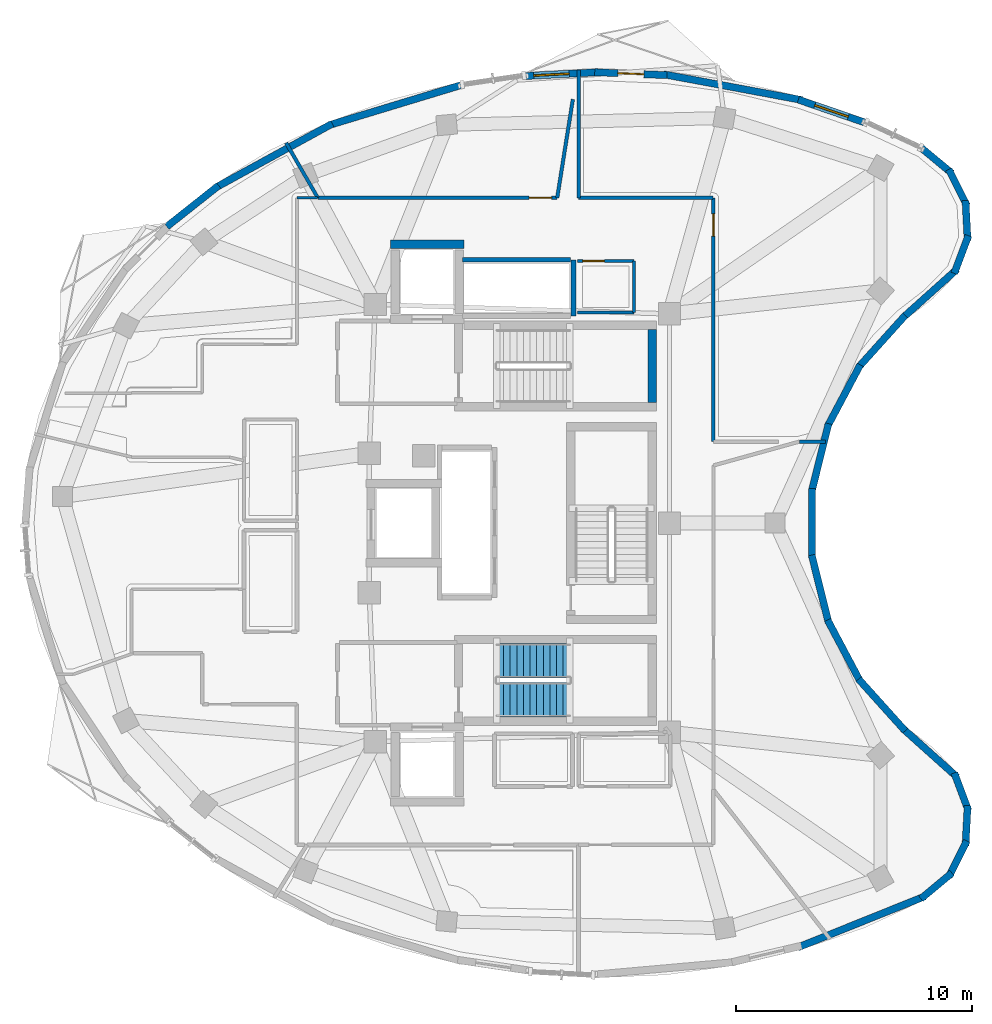
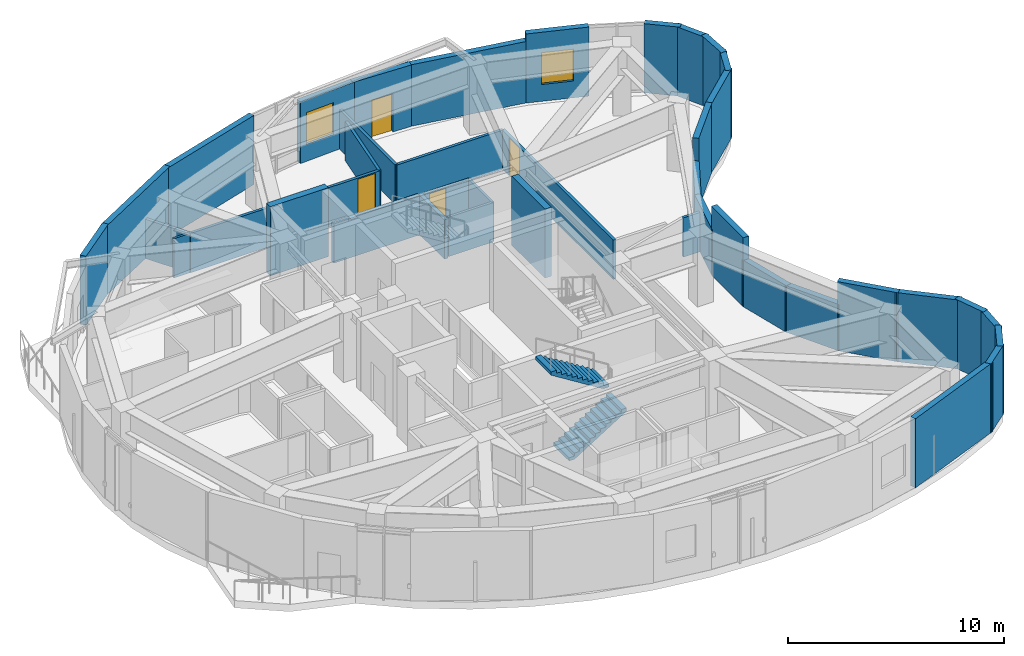
# One storey, part 8 of 12: 40 walls, 4 doors, 2 stair flights, 2 windows, 6 openings, 1 element without a shape of its own.
"""IFC4 building model written with IfcOpenShell, lengths in metres."""

from ifc_helpers import new_model, si_unit, direction, frame, frame_2d, origin, place, context, subcontext, project, spatial, polyline, rectangle, outline, extrude, material, layer, layer_set, type_object, element, fill, aggregate, save


model = new_model("IFC4")

# Units and contexts
model_context = context("Model", 3, precision=1e-05, world=origin(), true_north=direction((0.0, 1.0)))
body_context = subcontext(model_context, "Body", "Model", "MODEL_VIEW")
ifc_project = project(units=[si_unit("LENGTHUNIT", "METRE"), si_unit("AREAUNIT", "SQUARE_METRE"), si_unit("VOLUMEUNIT", "CUBIC_METRE"), si_unit("PLANEANGLEUNIT", "RADIAN"), si_unit("MASSUNIT", "GRAM", prefix="KILO")], contexts=[model_context])

# Site, building, storey
site_placement = place(None, origin())
site = spatial("IfcSite", under=ifc_project, at=site_placement, CompositionType="ELEMENT")
building_placement = place(site_placement, origin())
building = spatial("IfcBuilding", under=site, at=building_placement, Name="Korentha Bioscience Tower", CompositionType="ELEMENT")
storey_placement = place(building_placement, frame((0.0, 0.0, 286.800048828125)))
storey = spatial("IfcBuildingStorey", under=building, at=storey_placement, Name="L66", CompositionType="ELEMENT", Elevation=286.800048828125)

# Wall, opening, door
ifc_material_1 = material(Name="Double-Stud Acoustic Gypsum", Category="gypsum")
ifc_layer_1 = layer(ifc_material_1, 0.14990234375, Name="Double-Stud Acoustic Gypsum")
ifc_layer_set_1 = layer_set([ifc_layer_1], Name="Double-Stud Acoustic Gypsum (IW-L150)")
wall_type_1 = type_object("IfcWallType", Name="Acoustic Laboratory Partition Wall 150", PredefinedType="PARTITIONING", material=ifc_layer_set_1)
wall_1_placement = place(storey_placement, frame((39.409912109375, 30.451904296875, 0.0), z_axis=(0.0, 0.0, 1.0), x_axis=(0.0, 1.0, 0.0)))
wall_1 = element("IfcWall", 1, at=wall_1_placement, inside=storey, type_object=wall_type_1, Name="L66 Bio-Printing Tissue Engineering Lab 07 Entrance Wall", PredefinedType="PARTITIONING", context=body_context, shape_type="SweptSolid", body=[
    extrude(rectangle(XDim=10.298095703125, YDim=0.14990234375, at=frame_2d((5.14892578125, 0.0))), origin(), (0.0, 0.0, 1.0), 2.219970703125),
])
opening_1_placement = place(wall_1_placement, frame((8.684326171875, 0.0, 0.0)))
opening_1 = element("IfcOpeningElement", 2, at=opening_1_placement, cuts=wall_1, Name="Opening ID-10L", PredefinedType="OPENING", context=body_context, shape_type="SweptSolid", body=[
    extrude(rectangle(XDim=0.949951171875, YDim=2.14990234375, at=frame_2d((0.47509765625, 1.074951171875))), frame((0.0, 0.08984375, 0.0), z_axis=(0.0, -1.0, 0.0), x_axis=(1.0, 0.0, 0.0)), (0.0, 0.0, 1.0), 0.1796875),
])
ifc_material_2 = material(Name="Phenolic Laminate Timber Core", Category="wood")
door_type_1 = type_object("IfcDoorType", Name="Laboratory Single Leaf Door 950x2150 Left", OperationType="SINGLE_SWING_LEFT", PredefinedType="DOOR", material=ifc_material_2)
door_1_placement = place(opening_1_placement, origin())
door_1 = element("IfcDoor", 3, at=door_1_placement, inside=storey, type_object=door_type_1, Name="L66 Bio-Printing Tissue Engineering Lab 07 Door", OperationType="SINGLE_SWING_LEFT", OverallHeight=2.14990234375, OverallWidth=0.949951171875, PredefinedType="DOOR", context=body_context, shape_type="SweptSolid", body=[
    extrude(rectangle(XDim=0.949951171875, YDim=2.14990234375, at=frame_2d((0.47509765625, 1.074951171875))), frame((0.0, 0.02490234375, 0.0), z_axis=(0.0, -1.0, 0.0), x_axis=(1.0, 0.0, 0.0)), (0.0, 0.0, 1.0), 0.050048828125),
])
fill(opening_1, door_1)

wall_2_placement = place(storey_placement, frame((32.799560546875, 40.760009765625, 0.0), z_axis=(0.0, 0.0, 1.0), x_axis=(-1.0, 0.0, 0.0)))
wall_2 = element("IfcWall", 4, at=wall_2_placement, inside=storey, type_object=wall_type_1, Name="L66 Sterile Media Preparation Kitchen 08 Entrance Wall", PredefinedType="PARTITIONING", context=body_context, shape_type="SweptSolid", body=[
    extrude(rectangle(XDim=10.1259765625, YDim=0.14990234375, at=frame_2d((5.06298828125, 0.0))), origin(), (0.0, 0.0, 1.0), 2.219970703125),
])
opening_2_placement = place(wall_2_placement, frame((0.239990234375, 0.0, 0.0)))
opening_2 = element("IfcOpeningElement", 5, at=opening_2_placement, cuts=wall_2, Name="Opening ID-10R", PredefinedType="OPENING", context=body_context, shape_type="SweptSolid", body=[
    extrude(rectangle(XDim=0.949951171875, YDim=2.14990234375, at=frame_2d((0.47509765625, 1.074951171875))), frame((0.0, 0.08984375, 0.0), z_axis=(0.0, -1.0, 0.0), x_axis=(1.0, 0.0, 0.0)), (0.0, 0.0, 1.0), 0.1796875),
])
door_type_2 = type_object("IfcDoorType", Name="Laboratory Single Leaf Door 950x2150 Right", OperationType="SINGLE_SWING_RIGHT", PredefinedType="DOOR", material=ifc_material_2)
door_2_placement = place(opening_2_placement, origin())
door_2 = element("IfcDoor", 6, at=door_2_placement, inside=storey, type_object=door_type_2, Name="L66 Sterile Media Preparation Kitchen 08 Door", OperationType="SINGLE_SWING_RIGHT", OverallHeight=2.14990234375, OverallWidth=0.949951171875, PredefinedType="DOOR", context=body_context, shape_type="SweptSolid", body=[
    extrude(rectangle(XDim=0.949951171875, YDim=2.14990234375, at=frame_2d((0.47509765625, 1.074951171875))), frame((0.0, 0.02490234375, 0.0), z_axis=(0.0, -1.0, 0.0), x_axis=(1.0, 0.0, 0.0)), (0.0, 0.0, 1.0), 0.050048828125),
])
fill(opening_2, door_2)

# Walls
wall_3_placement = place(storey_placement, frame((39.39990234375, 40.760009765625, 0.0), z_axis=(0.0, 0.0, 1.0), x_axis=(-1.0, 0.0, 0.0)))
element("IfcWall", 7, at=wall_3_placement, inside=storey, type_object=wall_type_1, Name="L66 Interior Partition 052", PredefinedType="PARTITIONING", context=body_context, shape_type="SweptSolid", body=[
    extrude(rectangle(XDim=5.697998046875, YDim=0.14990234375, at=frame_2d((2.84912109375, 0.0))), origin(), (0.0, 0.0, 1.0), 2.219970703125),
])
wall_4_placement = place(storey_placement, frame((33.701904296875, 40.760009765625, 0.0), z_axis=(0.0, 0.0, 1.0), x_axis=(0.0, 1.0, 0.0)))
element("IfcWall", 8, at=wall_4_placement, inside=storey, type_object=wall_type_1, Name="L66 Interior Partition 053", PredefinedType="PARTITIONING", context=body_context, shape_type="SweptSolid", body=[
    extrude(rectangle(XDim=5.412841796875, YDim=0.14990234375, at=frame_2d((2.70654296875, 0.0))), origin(), (0.0, 0.0, 1.0), 2.219970703125),
])
wall_5_placement = place(storey_placement, frame((33.4619140625, 44.9296875, 0.0), z_axis=(0.0, 0.0, 1.0), x_axis=(-0.156883039615, -0.987617188936, 0.0)))
element("IfcWall", 9, at=wall_5_placement, inside=storey, type_object=wall_type_1, Name="L66 Interior Partition 054", PredefinedType="PARTITIONING", context=body_context, shape_type="SweptSolid", body=[
    extrude(rectangle(XDim=4.221923828125, YDim=0.14990234375, at=frame_2d((2.11083984375, 0.0))), origin(), (0.0, 0.0, 1.0), 2.219970703125),
])
wall_6_placement = place(storey_placement, frame((22.673583984375, 40.760009765625, 0.0), z_axis=(0.0, 0.0, 1.0), x_axis=(-0.500068617113, 0.865985784051, 0.0)))
element("IfcWall", 10, at=wall_6_placement, inside=storey, type_object=wall_type_1, Name="L66 Interior Partition 055", PredefinedType="PARTITIONING", context=body_context, shape_type="SweptSolid", body=[
    extrude(rectangle(XDim=2.68603515625, YDim=0.14990234375, at=frame_2d((1.343017578125, 0.0))), origin(), (0.0, 0.0, 1.0), 2.219970703125),
])
ifc_material_3 = material(Name="Insulated Aluminium Honeycomb Panel", Category="aluminium")
ifc_layer_2 = layer(ifc_material_3, 0.139892578125, Name="Insulated Aluminium Honeycomb Panel")
ifc_layer_set_2 = layer_set([ifc_layer_2], Name="Insulated Aluminium Honeycomb Panel (IW-F60)")
wall_type_2 = type_object("IfcWallType", Name="Cleanroom Flush Metal Panel Partition 140", PredefinedType="PARTITIONING", material=ifc_layer_set_2)
wall_7_placement = place(storey_placement, frame((43.041015625, 30.447998046875, 0.0), z_axis=(0.0, 0.0, 1.0), x_axis=(1.0, 0.0, 0.0)))
element("IfcWall", 11, at=wall_7_placement, inside=storey, type_object=wall_type_2, Name="L66 Interior Partition 049", PredefinedType="PARTITIONING", context=body_context, shape_type="SweptSolid", body=[
    extrude(rectangle(XDim=1.116455078125, YDim=0.139892578125, at=frame_2d((0.55810546875, 0.0))), origin(), (0.0, 0.0, 1.0), 2.219970703125),
])
ifc_material_4 = material(Name="Fire-Rated Framed Glass", Category="glass")
ifc_layer_3 = layer(ifc_material_4, 0.110107421875, Name="Fire-Rated Framed Glass")
ifc_layer_set_3 = layer_set([ifc_layer_3], Name="Fire-Rated Framed Glass (IW-G110)")
wall_type_3 = type_object("IfcWallType", Name="Demountable Glazed Office Partition 110", PredefinedType="MOVABLE", material=ifc_layer_set_3)
wall_8_placement = place(storey_placement, frame((22.661865234375, 40.760009765625, 0.0), z_axis=(0.0, 0.0, 1.0), x_axis=(-1.0, 0.0, 0.0)))
element("IfcWall", 12, at=wall_8_placement, inside=storey, type_object=wall_type_3, Name="L66 Interior Partition 056", PredefinedType="MOVABLE", context=body_context, shape_type="SweptSolid", body=[
    extrude(rectangle(XDim=0.86181640625, YDim=0.110107421875, at=frame_2d((0.430908203125, 0.0))), origin(), (0.0, 0.0, 1.0), 2.219970703125),
])

# Wall, opening, window
ifc_material_5 = material(Name="Honed Limestone Precast Concrete C40", Category="masonry")
ifc_layer_4 = layer(ifc_material_5, 0.300048828125, Name="Honed Limestone Precast Concrete C40")
ifc_layer_set_4 = layer_set([ifc_layer_4], Name="Honed Limestone Precast Concrete C40 (EW-ST300)")
wall_type_4 = type_object("IfcWallType", Name="Honed Limestone Cavity Spandrel Wall 300", PredefinedType="STANDARD", material=ifc_layer_set_4)
wall_9_placement = place(storey_placement, frame((45.807373046875, 43.949951171875, 0.0), z_axis=(0.0, 0.0, 1.0), x_axis=(-0.945564127376, 0.325435832416, 0.0)))
wall_9 = element("IfcWall", 13, at=wall_9_placement, inside=storey, type_object=wall_type_4, Name="L66 Honed Limestone Spandrel Wall 02", PredefinedType="STANDARD", context=body_context, shape_type="SweptSolid", body=[
    extrude(rectangle(XDim=2.969970703125, YDim=0.300048828125, at=frame_2d((1.48486328125, 0.0))), origin(), (0.0, 0.0, 1.0), 3.89990234375),
])
opening_3_placement = place(wall_9_placement, frame((0.735107421875, 0.0, 0.949951171875)))
opening_3 = element("IfcOpeningElement", 14, at=opening_3_placement, cuts=wall_9, Name="Opening WN-02", PredefinedType="OPENING", context=body_context, shape_type="SweptSolid", body=[
    extrude(rectangle(XDim=1.5, YDim=1.800048828125, at=frame_2d((0.75, 0.89990234375))), frame((0.0, 0.1650390625, 0.0), z_axis=(0.0, -1.0, 0.0), x_axis=(1.0, 0.0, 0.0)), (0.0, 0.0, 1.0), 0.329833984375),
])
ifc_material_6 = material(Name="Thermally Broken Aluminium Triple Glazing", Category="aluminium")
window_type = type_object("IfcWindowType", Name="Acoustic Operable Office Window 1500x1800", PartitioningType="DOUBLE_PANEL_VERTICAL", PredefinedType="WINDOW", material=ifc_material_6)
window_1_placement = place(opening_3_placement, origin())
window_1 = element("IfcWindow", 15, at=window_1_placement, inside=storey, type_object=window_type, Name="L66 Facade Window 02", OverallHeight=1.800048828125, OverallWidth=1.5, PartitioningType="DOUBLE_PANEL_VERTICAL", PredefinedType="WINDOW", context=body_context, shape_type="SweptSolid", body=[
    extrude(rectangle(XDim=1.5, YDim=1.800048828125, at=frame_2d((0.75, 0.89990234375))), frame((0.0, 0.030029296875, 0.0), z_axis=(0.0, -1.0, 0.0), x_axis=(1.0, 0.0, 0.0)), (0.0, 0.0, 1.0), 0.06005859375),
])
fill(opening_3, window_1)

# Wall, opening, door
wall_10_placement = place(storey_placement, frame((37.445556640625, 45.9501953125, 0.0), z_axis=(0.0, 0.0, 1.0), x_axis=(-0.999155735102, 0.041083050186, 0.0)))
wall_10 = element("IfcWall", 16, at=wall_10_placement, inside=storey, type_object=wall_type_4, Name="L66 Balcony Threshold Wall 01", PredefinedType="STANDARD", context=body_context, shape_type="SweptSolid", body=[
    extrude(rectangle(XDim=3.060546875, YDim=0.300048828125, at=frame_2d((1.5302734375, 0.0))), origin(), (0.0, 0.0, 1.0), 3.469970703125),
])
opening_4_placement = place(wall_10_placement, frame((0.980224609375, 0.0, 0.0)))
opening_4 = element("IfcOpeningElement", 17, at=opening_4_placement, cuts=wall_10, Name="Opening BD-11L", PredefinedType="OPENING", context=body_context, shape_type="SweptSolid", body=[
    extrude(rectangle(XDim=1.10009765625, YDim=2.14990234375, at=frame_2d((0.550048828125, 1.074951171875))), frame((0.0, 0.1650390625, 0.0), z_axis=(0.0, -1.0, 0.0), x_axis=(1.0, 0.0, 0.0)), (0.0, 0.0, 1.0), 0.329833984375),
])
ifc_material_7 = material(Name="Thermally Broken Glazed Aluminium", Category="aluminium")
door_type_3 = type_object("IfcDoorType", Name="Balcony Terrace Glazed Door 1100x2150 Left", OperationType="SINGLE_SWING_LEFT", PredefinedType="DOOR", material=ifc_material_7)
door_3_placement = place(opening_4_placement, origin())
door_3 = element("IfcDoor", 18, at=door_3_placement, inside=storey, type_object=door_type_3, Name="L66 Balcony Access Door 01", OperationType="SINGLE_SWING_LEFT", OverallHeight=2.14990234375, OverallWidth=1.10009765625, PredefinedType="DOOR", context=body_context, shape_type="SweptSolid", body=[
    extrude(rectangle(XDim=1.10009765625, YDim=2.14990234375, at=frame_2d((0.550048828125, 1.074951171875))), frame((0.0, 0.02490234375, 0.0), z_axis=(0.0, -1.0, 0.0), x_axis=(1.0, 0.0, 0.0)), (0.0, 0.0, 1.0), 0.050048828125),
])
fill(opening_4, door_3)

# Wall, opening, window
wall_11_placement = place(storey_placement, frame((34.5224609375, 46.076904296875, 0.0), z_axis=(0.0, 0.0, 1.0), x_axis=(-0.998578313912, -0.053304324252, 0.0)))
wall_11 = element("IfcWall", 19, at=wall_11_placement, inside=storey, type_object=wall_type_4, Name="L66 Honed Limestone Spandrel Wall 06", PredefinedType="STANDARD", context=body_context, shape_type="SweptSolid", body=[
    extrude(rectangle(XDim=3.0595703125, YDim=0.300048828125, at=frame_2d((1.52978515625, 0.0))), origin(), (0.0, 0.0, 1.0), 3.469970703125),
])
opening_5_placement = place(wall_11_placement, frame((1.219482421875, 0.0, 0.949951171875)))
opening_5 = element("IfcOpeningElement", 20, at=opening_5_placement, cuts=wall_11, Name="Opening WN-02", PredefinedType="OPENING", context=body_context, shape_type="SweptSolid", body=[
    extrude(rectangle(XDim=1.5, YDim=1.800048828125, at=frame_2d((0.75, 0.89990234375))), frame((0.0, 0.1650390625, 0.0), z_axis=(0.0, -1.0, 0.0), x_axis=(1.0, 0.0, 0.0)), (0.0, 0.0, 1.0), 0.329833984375),
])
window_2_placement = place(opening_5_placement, origin())
window_2 = element("IfcWindow", 21, at=window_2_placement, inside=storey, type_object=window_type, Name="L66 Facade Window 06", OverallHeight=1.800048828125, OverallWidth=1.5, PartitioningType="DOUBLE_PANEL_VERTICAL", PredefinedType="WINDOW", context=body_context, shape_type="SweptSolid", body=[
    extrude(rectangle(XDim=1.5, YDim=1.800048828125, at=frame_2d((0.75, 0.89990234375))), frame((0.0, 0.030029296875, 0.0), z_axis=(0.0, -1.0, 0.0), x_axis=(1.0, 0.0, 0.0)), (0.0, 0.0, 1.0), 0.06005859375),
])
fill(opening_5, window_2)

# Walls
wall_12_placement = place(storey_placement, frame((43.160888671875, 44.89599609375, 0.0), z_axis=(0.0, 0.0, 1.0), x_axis=(-0.983103205954, 0.183052141321, 0.0)))
element("IfcWall", 22, at=wall_12_placement, inside=storey, type_object=wall_type_4, Name="L66 Limestone Perimeter Closure Wall 03", PredefinedType="STANDARD", context=body_context, shape_type="SweptSolid", body=[
    extrude(rectangle(XDim=5.9736328125, YDim=0.300048828125, at=frame_2d((2.98681640625, 0.0))), origin(), (0.0, 0.0, 1.0), 3.469970703125),
])
wall_13_placement = place(storey_placement, frame((28.745361328125, 45.53369140625, 0.0), z_axis=(0.0, 0.0, 1.0), x_axis=(-0.95696124157, -0.290215751008, 0.0)))
element("IfcWall", 23, at=wall_13_placement, inside=storey, type_object=wall_type_4, Name="L66 Limestone Perimeter Closure Wall 08", PredefinedType="STANDARD", context=body_context, shape_type="SweptSolid", body=[
    extrude(rectangle(XDim=5.88623046875, YDim=0.300048828125, at=frame_2d((2.943115234375, 0.0))), origin(), (0.0, 0.0, 1.0), 3.89990234375),
])
wall_14_placement = place(storey_placement, frame((23.285888671875, 43.898193359375, 0.0), z_axis=(0.0, 0.0, 1.0), x_axis=(-0.877062479499, -0.480376318166, 0.0)))
element("IfcWall", 24, at=wall_14_placement, inside=storey, type_object=wall_type_4, Name="L66 Limestone Perimeter Closure Wall 10", PredefinedType="STANDARD", context=body_context, shape_type="SweptSolid", body=[
    extrude(rectangle(XDim=5.653564453125, YDim=0.300048828125, at=frame_2d((2.82666015625, 0.0))), origin(), (0.0, 0.0, 1.0), 3.89990234375),
])
wall_15_placement = place(storey_placement, frame((18.47998046875, 41.283447265625, 0.0), z_axis=(0.0, 0.0, 1.0), x_axis=(-0.784028163495, -0.620725252303, 0.0)))
element("IfcWall", 25, at=wall_15_placement, inside=storey, type_object=wall_type_4, Name="L66 Limestone Perimeter Closure Wall 12", PredefinedType="STANDARD", context=body_context, shape_type="SweptSolid", body=[
    extrude(rectangle(XDim=2.80322265625, YDim=0.300048828125, at=frame_2d((1.401611328125, 0.0))), origin(), (0.0, 0.0, 1.0), 3.89990234375),
])
wall_16_placement = place(storey_placement, frame((42.9814453125, 9.051513671875, 0.0), z_axis=(0.0, 0.0, 1.0), x_axis=(0.927771967192, 0.373147660978, 0.0)))
element("IfcWall", 26, at=wall_16_placement, inside=storey, type_object=wall_type_4, Name="L66 Limestone Perimeter Closure Wall 35", PredefinedType="STANDARD", context=body_context, shape_type="SweptSolid", body=[
    extrude(rectangle(XDim=5.795654296875, YDim=0.300048828125, at=frame_2d((2.89794921875, 0.0))), origin(), (0.0, 0.0, 1.0), 3.89990234375),
])
for number, where, z_axis, x_axis, name in (
    (27, (48.185302734375, 11.11083984375, 0.0), (0.0, 0.0, 1.0), (0.769148122421, 0.639070548356, 0.0), "L66 Limestone Perimeter Closure Wall 37"),
    (28, (49.363037109375, 12.032470703125, 0.0), (0.0, 0.0, 1.0), (0.44870292085, 0.893680977095, 0.0), "L66 Limestone Perimeter Closure Wall 38"),
):
    element("IfcWall", number, at=place(storey_placement, frame(where, z_axis=z_axis, x_axis=x_axis)), inside=storey, type_object=wall_type_4, Name=name, PredefinedType="STANDARD", context=body_context, shape_type="SweptSolid", body=[
        extrude(rectangle(XDim=1.7041015625, YDim=0.300048828125, at=frame_2d((0.85205078125, 0.0))), origin(), (0.0, 0.0, 1.0), 3.89990234375),
    ])
for number, where, z_axis, x_axis, name in (
    (29, (50.07275390625, 13.3486328125, 0.0), (0.0, 0.0, 1.0), (0.053145273218, 0.998586791388, 0.0), "L66 Limestone Perimeter Closure Wall 39"),
    (30, (50.19580078125, 14.839111328125, 0.0), (0.0, 0.0, 1.0), (-0.351374594418, 0.936234956834, 0.0), "L66 Limestone Perimeter Closure Wall 40"),
):
    element("IfcWall", number, at=place(storey_placement, frame(where, z_axis=z_axis, x_axis=x_axis)), inside=storey, type_object=wall_type_4, Name=name, PredefinedType="STANDARD", context=body_context, shape_type="SweptSolid", body=[
        extrude(rectangle(XDim=1.704345703125, YDim=0.300048828125, at=frame_2d((0.85205078125, 0.0))), origin(), (0.0, 0.0, 1.0), 3.89990234375),
    ])
wall_17_placement = place(storey_placement, frame((49.722412109375, 16.251220703125, 0.0), z_axis=(0.0, 0.0, 1.0), x_axis=(-0.744720921046, 0.667376018266, 0.0)))
element("IfcWall", 31, at=wall_17_placement, inside=storey, type_object=wall_type_4, Name="L66 Limestone Perimeter Closure Wall 41", PredefinedType="STANDARD", context=body_context, shape_type="SweptSolid", body=[
    extrude(rectangle(XDim=3.093505859375, YDim=0.300048828125, at=frame_2d((1.546875, 0.0))), origin(), (0.0, 0.0, 1.0), 3.89990234375),
])
wall_18_placement = place(storey_placement, frame((47.521240234375, 18.21337890625, 0.0), z_axis=(0.0, 0.0, 1.0), x_axis=(-0.669166006669, 0.743112949368, 0.0)))
element("IfcWall", 32, at=wall_18_placement, inside=storey, type_object=wall_type_4, Name="L66 Limestone Perimeter Closure Wall 43", PredefinedType="STANDARD", context=body_context, shape_type="SweptSolid", body=[
    extrude(rectangle(XDim=2.9482421875, YDim=0.300048828125, at=frame_2d((1.47412109375, 0.0))), origin(), (0.0, 0.0, 1.0), 3.89990234375),
])
wall_19_placement = place(storey_placement, frame((45.619873046875, 20.30224609375, 0.0), z_axis=(0.0, 0.0, 1.0), x_axis=(-0.469466013123, 0.882950543644, 0.0)))
element("IfcWall", 33, at=wall_19_placement, inside=storey, type_object=wall_type_4, Name="L66 Limestone Perimeter Closure Wall 45", PredefinedType="STANDARD", context=body_context, shape_type="SweptSolid", body=[
    extrude(rectangle(XDim=2.947998046875, YDim=0.300048828125, at=frame_2d((1.47412109375, 0.0))), origin(), (0.0, 0.0, 1.0), 2.625),
])
wall_20_placement = place(storey_placement, frame((44.280517578125, 22.788818359375, 0.0), z_axis=(0.0, 0.0, 1.0), x_axis=(-0.24195108751, 0.970288447449, 0.0)))
element("IfcWall", 34, at=wall_20_placement, inside=storey, type_object=wall_type_4, Name="L66 Limestone Perimeter Closure Wall 47", PredefinedType="STANDARD", context=body_context, shape_type="SweptSolid", body=[
    extrude(rectangle(XDim=2.948486328125, YDim=0.300048828125, at=frame_2d((1.47412109375, 0.0))), origin(), (0.0, 0.0, 1.0), 2.625),
])
wall_21_placement = place(storey_placement, frame((43.58251953125, 25.52587890625, 0.0), z_axis=(0.0, 0.0, 1.0), x_axis=(0.0, 1.0, 0.0)))
element("IfcWall", 35, at=wall_21_placement, inside=storey, type_object=wall_type_4, Name="L66 Limestone Perimeter Closure Wall 49", PredefinedType="STANDARD", context=body_context, shape_type="SweptSolid", body=[
    extrude(rectangle(XDim=2.9482421875, YDim=0.300048828125, at=frame_2d((1.47412109375, 0.0))), origin(), (0.0, 0.0, 1.0), 3.89990234375),
])
wall_22_placement = place(storey_placement, frame((43.567138671875, 28.350341796875, 0.0), z_axis=(0.0, 0.0, 1.0), x_axis=(0.24195108751, 0.970288447449, 0.0)))
element("IfcWall", 36, at=wall_22_placement, inside=storey, type_object=wall_type_4, Name="L66 Limestone Perimeter Closure Wall 51", PredefinedType="STANDARD", context=body_context, shape_type="SweptSolid", body=[
    extrude(rectangle(XDim=2.948486328125, YDim=0.300048828125, at=frame_2d((1.47412109375, 0.0))), origin(), (0.0, 0.0, 1.0), 2.625),
])
wall_23_placement = place(storey_placement, frame((44.23583984375, 31.0947265625, 0.0), z_axis=(0.0, 0.0, 1.0), x_axis=(0.469466013123, 0.882950543644, 0.0)))
element("IfcWall", 37, at=wall_23_placement, inside=storey, type_object=wall_type_4, Name="L66 Limestone Perimeter Closure Wall 53", PredefinedType="STANDARD", context=body_context, shape_type="SweptSolid", body=[
    extrude(rectangle(XDim=2.947998046875, YDim=0.300048828125, at=frame_2d((1.47412109375, 0.0))), origin(), (0.0, 0.0, 1.0), 2.625),
])
wall_24_placement = place(storey_placement, frame((45.54833984375, 33.595703125, 0.0), z_axis=(0.0, 0.0, 1.0), x_axis=(0.669166006669, 0.743112949368, 0.0)))
element("IfcWall", 38, at=wall_24_placement, inside=storey, type_object=wall_type_4, Name="L66 Limestone Perimeter Closure Wall 55", PredefinedType="STANDARD", context=body_context, shape_type="SweptSolid", body=[
    extrude(rectangle(XDim=2.9482421875, YDim=0.300048828125, at=frame_2d((1.47412109375, 0.0))), origin(), (0.0, 0.0, 1.0), 3.89990234375),
])
wall_25_placement = place(storey_placement, frame((47.418701171875, 35.684326171875, 0.0), z_axis=(0.0, 0.0, 1.0), x_axis=(0.744720921046, 0.667376018266, 0.0)))
element("IfcWall", 39, at=wall_25_placement, inside=storey, type_object=wall_type_4, Name="L66 Limestone Perimeter Closure Wall 57", PredefinedType="STANDARD", context=body_context, shape_type="SweptSolid", body=[
    extrude(rectangle(XDim=3.093505859375, YDim=0.300048828125, at=frame_2d((1.546875, 0.0))), origin(), (0.0, 0.0, 1.0), 3.89990234375),
])
for number, where, z_axis, x_axis, name in (
    (40, (49.596923828125, 37.565185546875, 0.0), (0.0, 0.0, 1.0), (0.351374594418, 0.936234956834, 0.0), "L66 Limestone Perimeter Closure Wall 59"),
    (41, (50.163330078125, 38.949462890625, 0.0), (0.0, 0.0, 1.0), (-0.053145273218, 0.998586791388, 0.0), "L66 Limestone Perimeter Closure Wall 60"),
):
    element("IfcWall", number, at=place(storey_placement, frame(where, z_axis=z_axis, x_axis=x_axis)), inside=storey, type_object=wall_type_4, Name=name, PredefinedType="STANDARD", context=body_context, shape_type="SweptSolid", body=[
        extrude(rectangle(XDim=1.704345703125, YDim=0.300048828125, at=frame_2d((0.85205078125, 0.0))), origin(), (0.0, 0.0, 1.0), 3.89990234375),
    ])
for number, where, z_axis, x_axis, name in (
    (42, (50.127685546875, 40.444580078125, 0.0), (0.0, 0.0, 1.0), (-0.44870292085, 0.893680977095, 0.0), "L66 Limestone Perimeter Closure Wall 61"),
    (43, (49.49609375, 41.800048828125, 0.0), (0.0, 0.0, 1.0), (-0.769148122421, 0.639070548356, 0.0), "L66 Limestone Perimeter Closure Wall 62"),
):
    element("IfcWall", number, at=place(storey_placement, frame(where, z_axis=z_axis, x_axis=x_axis)), inside=storey, type_object=wall_type_4, Name=name, PredefinedType="STANDARD", context=body_context, shape_type="SweptSolid", body=[
        extrude(rectangle(XDim=1.7041015625, YDim=0.300048828125, at=frame_2d((0.85205078125, 0.0))), origin(), (0.0, 0.0, 1.0), 3.89990234375),
    ])
ifc_material_8 = material(Name="Autoclaved Aerated Concrete Block C25", Category="concrete")
ifc_layer_5 = layer(ifc_material_8, 0.199951171875, Name="Autoclaved Aerated Concrete Block C25")
ifc_layer_set_5 = layer_set([ifc_layer_5], Name="Autoclaved Aerated Concrete Block C25 (IW-S200)")
wall_type_5 = type_object("IfcWallType", Name="Lift and Riser Shaft Enclosure Wall 200", PredefinedType="PARTITIONING", material=ifc_layer_set_5)
wall_26_placement = place(storey_placement, frame((33.489990234375, 35.760009765625, 0.0), z_axis=(0.0, 0.0, 1.0), x_axis=(0.0, 1.0, 0.0)))
element("IfcWall", 44, at=wall_26_placement, inside=storey, type_object=wall_type_5, Name="L66 Lift Bank OBS Shaft Wall +X", PredefinedType="PARTITIONING", context=body_context, shape_type="SweptSolid", body=[
    extrude(rectangle(XDim=2.3798828125, YDim=0.199951171875, at=frame_2d((1.18994140625, 0.0))), origin(), (0.0, 0.0, 1.0), 2.219970703125),
])
wall_27_placement = place(storey_placement, frame((28.800048828125, 38.139892578125, 0.0), z_axis=(0.0, 0.0, 1.0), x_axis=(1.0, 0.0, 0.0)))
element("IfcWall", 45, at=wall_27_placement, inside=storey, type_object=wall_type_5, Name="L66 Lift Bank OBS Shaft Wall +Y", PredefinedType="PARTITIONING", context=body_context, shape_type="SweptSolid", body=[
    extrude(rectangle(XDim=4.570068359375, YDim=0.199951171875, at=frame_2d((2.28515625, 0.0))), origin(), (0.0, 0.0, 1.0), 2.219970703125),
])
ifc_material_9 = material(Name="Concrete C50", Category="concrete")
ifc_layer_6 = layer(ifc_material_9, 0.35009765625, Name="Concrete C50")
ifc_layer_set_6 = layer_set([ifc_layer_6], Name="Concrete C50 (CW-C50)")
wall_type_6 = type_object("IfcWallType", Name="Upper Core Shear Wall 350", PredefinedType="SHEAR", material=ifc_layer_set_6)
wall_28_placement = place(storey_placement, frame((36.824951171875, 32.110107421875, 0.0), z_axis=(0.0, 0.0, 1.0), x_axis=(0.0, 1.0, 0.0)))
element("IfcWall", 46, at=wall_28_placement, inside=storey, type_object=wall_type_6, Name="L66 Core Shear Wall ST1-E", PredefinedType="SHEAR", context=body_context, shape_type="SweptSolid", body=[
    extrude(rectangle(XDim=3.079833984375, YDim=0.35009765625, at=frame_2d((1.5400390625, 0.0))), origin(), (0.0, 0.0, 1.0), 3.89990234375),
])
wall_29_placement = place(storey_placement, frame((25.75, 38.800048828125, 0.0), z_axis=(0.0, 0.0, 1.0), x_axis=(1.0, 0.0, 0.0)))
element("IfcWall", 47, at=wall_29_placement, inside=storey, type_object=wall_type_6, Name="L66 Core Shear Wall FFL2-N", PredefinedType="SHEAR", context=body_context, shape_type="SweptSolid", body=[
    extrude(rectangle(XDim=3.10009765625, YDim=0.35009765625, at=frame_2d((1.550048828125, 0.0))), origin(), (0.0, 0.0, 1.0), 3.89990234375),
])

# Wall, opening, door
ifc_material_10 = material(Name="Cement-Board Steel Stud", Category="steel")
ifc_layer_7 = layer(ifc_material_10, 0.1298828125, Name="Cement-Board Steel Stud")
ifc_layer_set_7 = layer_set([ifc_layer_7], Name="Cement-Board Steel Stud (IW-W130)")
wall_type_7 = type_object("IfcWallType", Name="Wet-Area Moisture-Resistant Partition 130", PredefinedType="PARTITIONING", material=ifc_layer_set_7)
wall_30_placement = place(storey_placement, frame((33.64990234375, 38.090087890625, 0.0), z_axis=(0.0, 0.0, 1.0), x_axis=(1.0, 0.0, 0.0)))
wall_30 = element("IfcWall", 48, at=wall_30_placement, inside=storey, type_object=wall_type_7, Name="L66 Accessible Staff WC Entrance Wall", PredefinedType="PARTITIONING", context=body_context, shape_type="SweptSolid", body=[
    extrude(rectangle(XDim=2.400146484375, YDim=0.1298828125, at=frame_2d((1.2001953125, 0.0))), origin(), (0.0, 0.0, 1.0), 2.219970703125),
])
opening_6_placement = place(wall_30_placement, frame((0.239990234375, 0.0, 0.0)))
opening_6 = element("IfcOpeningElement", 49, at=opening_6_placement, cuts=wall_30, Name="Opening ID-09R", PredefinedType="OPENING", context=body_context, shape_type="SweptSolid", body=[
    extrude(rectangle(XDim=0.89990234375, YDim=2.14990234375, at=frame_2d((0.449951171875, 1.074951171875))), frame((0.0, 0.079833984375, 0.0), z_axis=(0.0, -1.0, 0.0), x_axis=(1.0, 0.0, 0.0)), (0.0, 0.0, 1.0), 0.15966796875),
])
ifc_material_11 = material(Name="Moisture-Resistant HPL Leaf", Category="wood")
door_type_4 = type_object("IfcDoorType", Name="Restroom & Accessible WC Door 900x2150 Right", OperationType="SINGLE_SWING_RIGHT", PredefinedType="DOOR", material=ifc_material_11)
door_4_placement = place(opening_6_placement, origin())
door_4 = element("IfcDoor", 50, at=door_4_placement, inside=storey, type_object=door_type_4, Name="L66 Accessible Staff WC Door", OperationType="SINGLE_SWING_RIGHT", OverallHeight=2.14990234375, OverallWidth=0.89990234375, PredefinedType="DOOR", context=body_context, shape_type="SweptSolid", body=[
    extrude(rectangle(XDim=0.89990234375, YDim=2.14990234375, at=frame_2d((0.449951171875, 1.074951171875))), frame((0.0, 0.02490234375, 0.0), z_axis=(0.0, -1.0, 0.0), x_axis=(1.0, 0.0, 0.0)), (0.0, 0.0, 1.0), 0.050048828125),
])
fill(opening_6, door_4)

# Walls
wall_31_placement = place(storey_placement, frame((36.050048828125, 35.909912109375, 0.0), z_axis=(0.0, 0.0, 1.0), x_axis=(-1.0, 0.0, 0.0)))
element("IfcWall", 51, at=wall_31_placement, inside=storey, type_object=wall_type_7, Name="L66 Interior Partition 017", PredefinedType="PARTITIONING", context=body_context, shape_type="SweptSolid", body=[
    extrude(rectangle(XDim=2.400146484375, YDim=0.1298828125, at=frame_2d((1.2001953125, 0.0))), origin(), (0.0, 0.0, 1.0), 2.219970703125),
])
wall_32_placement = place(storey_placement, frame((36.050048828125, 38.090087890625, 0.0), z_axis=(0.0, 0.0, 1.0), x_axis=(0.0, -1.0, 0.0)))
element("IfcWall", 52, at=wall_32_placement, inside=storey, type_object=wall_type_7, Name="L66 Interior Partition 018", PredefinedType="PARTITIONING", context=body_context, shape_type="SweptSolid", body=[
    extrude(rectangle(XDim=2.18017578125, YDim=0.1298828125, at=frame_2d((1.090087890625, 0.0))), origin(), (0.0, 0.0, 1.0), 2.219970703125),
])

# Stair, stair flights
ifc_material_12 = material(Name="Precast Concrete C50", Category="concrete")
stair_type = type_object("IfcStairType", Name="Core Exit Dog-Leg Stair 1450", PredefinedType="HALF_TURN_STAIR", material=ifc_material_12)
stair_placement = place(storey_placement, origin())
stair = element("IfcStair", 53, at=stair_placement, inside=storey, type_object=stair_type, Name="L66 Tower South Pressurized Exit Stair ST-2", PredefinedType="HALF_TURN_STAIR")
stair_flight_type = type_object("IfcStairFlightType", Name="Core Exit Dog-Leg Stair 1450 Flight", PredefinedType="STRAIGHT", material=ifc_material_12)
stair_flight_1_placement = place(storey_placement, frame((30.25, 19.52490234375, 0.0), z_axis=(0.0, 0.0, 1.0), x_axis=(1.0, 0.0, 0.0)))
stair_flight_1 = element("IfcStairFlight", 54, at=stair_flight_1_placement, type_object=stair_flight_type, Name="ST-2 flight 1", NumberOfRisers=12, NumberOfTreads=11, PredefinedType="STRAIGHT", RiserHeight=0.175, TreadLength=0.28, context=body_context, shape_type="SweptSolid", body=[
    extrude(outline(polyline([(0.0, 0.0), (0.0, 0.175048828125), (0.280029296875, 0.175048828125), (0.280029296875, 0.35009765625), (0.56005859375, 0.35009765625), (0.56005859375, 0.52490234375), (0.840087890625, 0.52490234375), (0.840087890625, 0.699951171875), (1.1201171875, 0.699951171875), (1.1201171875, 0.875), (1.39990234375, 0.875), (1.39990234375, 1.050048828125), (1.679931640625, 1.050048828125), (1.679931640625, 1.22509765625), (1.9599609375, 1.22509765625), (1.9599609375, 1.39990234375), (2.239990234375, 1.39990234375), (2.239990234375, 1.574951171875), (2.52001953125, 1.574951171875), (2.52001953125, 1.75), (2.800048828125, 1.75), (2.800048828125, 1.925048828125), (3.080078125, 1.925048828125), (3.080078125, 2.10009765625), (3.080078125, 1.736328125), (0.3017578125, 0.0), (0.0, 0.0)])), frame((0.0, 0.72509765625, 0.0), z_axis=(0.0, -1.0, 0.0), x_axis=(1.0, 0.0, 0.0)), (0.0, 0.0, 1.0), 1.449951171875),
])
stair_flight_2_placement = place(storey_placement, frame((33.330078125, 21.175048828125, 2.099853515625), z_axis=(0.0, 0.0, 1.0), x_axis=(-1.0, 0.0, 0.0)))
stair_flight_2 = element("IfcStairFlight", 55, at=stair_flight_2_placement, type_object=stair_flight_type, Name="ST-2 flight 2", NumberOfRisers=12, NumberOfTreads=11, PredefinedType="STRAIGHT", RiserHeight=0.175, TreadLength=0.28, context=body_context, shape_type="SweptSolid", body=[
    extrude(outline(polyline([(0.0, 0.0), (0.0, 0.175048828125), (0.280029296875, 0.175048828125), (0.280029296875, 0.35009765625), (0.56005859375, 0.35009765625), (0.56005859375, 0.52490234375), (0.840087890625, 0.52490234375), (0.840087890625, 0.699951171875), (1.1201171875, 0.699951171875), (1.1201171875, 0.875), (1.39990234375, 0.875), (1.39990234375, 1.050048828125), (1.679931640625, 1.050048828125), (1.679931640625, 1.22509765625), (1.9599609375, 1.22509765625), (1.9599609375, 1.39990234375), (2.239990234375, 1.39990234375), (2.239990234375, 1.574951171875), (2.52001953125, 1.574951171875), (2.52001953125, 1.75), (2.800048828125, 1.75), (2.800048828125, 1.925048828125), (3.080078125, 1.925048828125), (3.080078125, 2.10009765625), (3.080078125, 1.736328125), (0.3017578125, 0.0), (0.0, 0.0)])), frame((0.0, 0.72509765625, 0.0), z_axis=(0.0, -1.0, 0.0), x_axis=(1.0, 0.0, 0.0)), (0.0, 0.0, 1.0), 1.449951171875),
])
aggregate(stair, [stair_flight_1, stair_flight_2])

save(model, "model.ifc")
